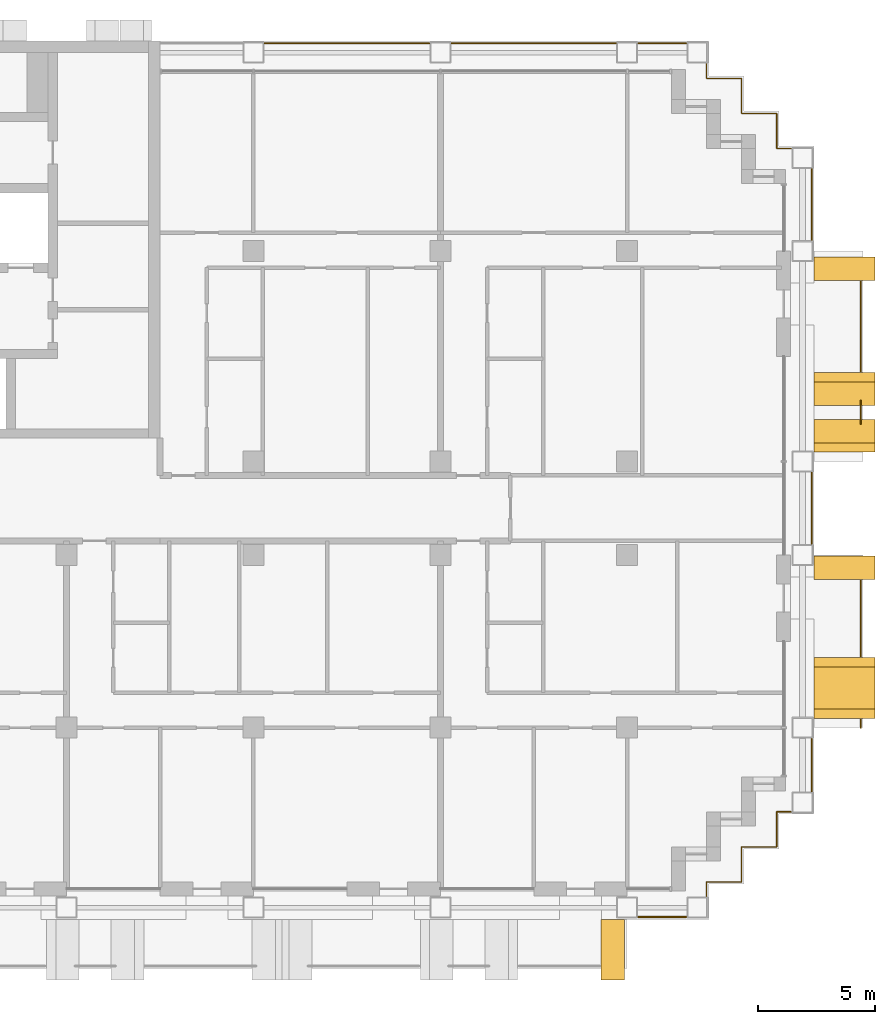
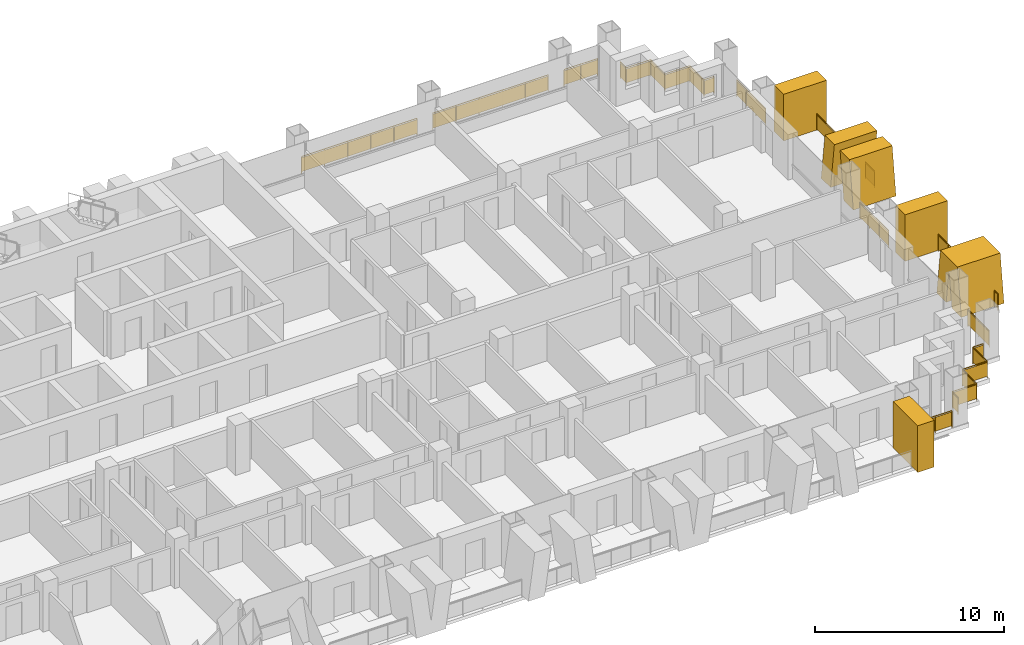
# One storey, part 18 of 18: 13 railings, 6 shading devices.
"""IFC4 building model written with IfcOpenShell, lengths in metres."""

from ifc_helpers import new_model, si_unit, direction, frame, origin, origin_2d, place, context, subcontext, project, spatial, polyline, rectangle, circle, outline, extrude, material, layer, layer_set, type_object, element, save


model = new_model("IFC4")

# Units and contexts
model_context = context("Model", 3, precision=1e-05, world=origin(), true_north=direction((0.0, 1.0)))
body_context = subcontext(model_context, "Body", "Model", "MODEL_VIEW")
ifc_project = project(units=[si_unit("LENGTHUNIT", "METRE"), si_unit("AREAUNIT", "SQUARE_METRE"), si_unit("VOLUMEUNIT", "CUBIC_METRE"), si_unit("PLANEANGLEUNIT", "RADIAN"), si_unit("MASSUNIT", "GRAM", prefix="KILO")], contexts=[model_context])

# Site, building, storey
site_placement = place(None, origin())
site = spatial("IfcSite", under=ifc_project, at=site_placement, CompositionType="ELEMENT")
building_placement = place(site_placement, origin())
building = spatial("IfcBuilding", under=site, at=building_placement, Name="Vidyagriha Tower", CompositionType="ELEMENT")
storey_placement = place(building_placement, frame((0.0, 0.0, 80.699951171875)))
storey = spatial("IfcBuildingStorey", under=building, at=storey_placement, Name="L20", CompositionType="ELEMENT", Elevation=80.699951171875)

# Railings
ifc_material_1 = material(Name="Steel ASTM A500 Grade C black painted", Category="steel")
railing_type_1 = type_object("IfcRailingType", Name="Balcony guard 1100", PredefinedType="BALUSTRADE", material=ifc_material_1)
railing_1_placement = place(storey_placement, frame((44.0, -9.39990234375, 0.0)))
element("IfcRailing", 1, at=railing_1_placement, inside=storey, type_object=railing_type_1, Name="Balcony guard L20 R30.1-1", PredefinedType="BALUSTRADE", context=body_context, shape_type="SweptSolid", body=[
    extrude(circle(Radius=0.02490234375, at=origin_2d()), frame((0.0, 0.0, 1.0751953125), z_axis=(0.0, 1.0, 0.0), x_axis=(-1.0, 0.0, 0.0)), (0.0, 0.0, 1.0), 0.349853515625),
    extrude(circle(Radius=0.02001953125, at=origin_2d()), origin(), (0.0, 0.0, 1.0), 1.050048828125),
    extrude(circle(Radius=0.02001953125, at=origin_2d()), frame((0.0, 0.349853515625, 0.0)), (0.0, 0.0, 1.0), 1.050048828125),
    extrude(rectangle(XDim=0.010009765625, YDim=0.900146484375, at=origin_2d()), frame((0.0, 0.0, 0.550048828125), z_axis=(0.0, 1.0, 0.0), x_axis=(-1.0, 0.0, 0.0)), (0.0, 0.0, 1.0), 0.349853515625),
])
railing_2_placement = place(storey_placement, frame((44.0, -6.35009765625, 0.0)))
element("IfcRailing", 2, at=railing_2_placement, inside=storey, type_object=railing_type_1, Name="Balcony guard L20 R30.1-2", PredefinedType="BALUSTRADE", context=body_context, shape_type="SweptSolid", body=[
    extrude(circle(Radius=0.02490234375, at=origin_2d()), frame((0.0, 0.0, 1.0751953125), z_axis=(0.0, 1.0, 0.0), x_axis=(-1.0, 0.0, 0.0)), (0.0, 0.0, 1.0), 3.25),
    extrude(circle(Radius=0.02001953125, at=origin_2d()), origin(), (0.0, 0.0, 1.0), 1.050048828125),
    extrude(circle(Radius=0.02001953125, at=origin_2d()), frame((0.0, 1.083251953125, 0.0)), (0.0, 0.0, 1.0), 1.050048828125),
    extrude(circle(Radius=0.02001953125, at=origin_2d()), frame((0.0, 2.166748046875, 0.0)), (0.0, 0.0, 1.0), 1.050048828125),
    extrude(circle(Radius=0.02001953125, at=origin_2d()), frame((0.0, 3.25, 0.0)), (0.0, 0.0, 1.0), 1.050048828125),
    extrude(rectangle(XDim=0.010009765625, YDim=0.900146484375, at=origin_2d()), frame((0.0, 0.0, 0.550048828125), z_axis=(0.0, 1.0, 0.0), x_axis=(-1.0, 0.0, 0.0)), (0.0, 0.0, 1.0), 3.25),
])
railing_3_placement = place(storey_placement, frame((44.0, 3.603271484375, 0.0)))
element("IfcRailing", 3, at=railing_3_placement, inside=storey, type_object=railing_type_1, Name="Balcony guard L20 R30.2-1", PredefinedType="BALUSTRADE", context=body_context, shape_type="SweptSolid", body=[
    extrude(circle(Radius=0.02490234375, at=origin_2d()), frame((0.0, 0.0, 1.0751953125), z_axis=(0.0, 1.0, 0.0), x_axis=(-1.0, 0.0, 0.0)), (0.0, 0.0, 1.0), 0.993408203125),
    extrude(circle(Radius=0.02001953125, at=origin_2d()), origin(), (0.0, 0.0, 1.0), 1.050048828125),
    extrude(circle(Radius=0.02001953125, at=origin_2d()), frame((0.0, 0.993408203125, 0.0)), (0.0, 0.0, 1.0), 1.050048828125),
    extrude(rectangle(XDim=0.010009765625, YDim=0.900146484375, at=origin_2d()), frame((0.0, 0.0, 0.550048828125), z_axis=(0.0, 1.0, 0.0), x_axis=(-1.0, 0.0, 0.0)), (0.0, 0.0, 1.0), 0.993408203125),
])
railing_4_placement = place(storey_placement, frame((44.0, 5.85009765625, 0.0)))
element("IfcRailing", 4, at=railing_4_placement, inside=storey, type_object=railing_type_1, Name="Balcony guard L20 R30.2-2", PredefinedType="BALUSTRADE", context=body_context, shape_type="SweptSolid", body=[
    extrude(circle(Radius=0.02490234375, at=origin_2d()), frame((0.0, 0.0, 1.0751953125), z_axis=(0.0, 1.0, 0.0), x_axis=(-1.0, 0.0, 0.0)), (0.0, 0.0, 1.0), 3.849853515625),
    extrude(circle(Radius=0.02001953125, at=origin_2d()), origin(), (0.0, 0.0, 1.0), 1.050048828125),
    extrude(circle(Radius=0.02001953125, at=origin_2d()), frame((0.0, 0.96240234375, 0.0)), (0.0, 0.0, 1.0), 1.050048828125),
    extrude(circle(Radius=0.02001953125, at=origin_2d()), frame((0.0, 1.9248046875, 0.0)), (0.0, 0.0, 1.0), 1.050048828125),
    extrude(circle(Radius=0.02001953125, at=origin_2d()), frame((0.0, 2.887451171875, 0.0)), (0.0, 0.0, 1.0), 1.050048828125),
    extrude(circle(Radius=0.02001953125, at=origin_2d()), frame((0.0, 3.849853515625, 0.0)), (0.0, 0.0, 1.0), 1.050048828125),
    extrude(rectangle(XDim=0.010009765625, YDim=0.900146484375, at=origin_2d()), frame((0.0, 0.0, 0.550048828125), z_axis=(0.0, 1.0, 0.0), x_axis=(-1.0, 0.0, 0.0)), (0.0, 0.0, 1.0), 3.849853515625),
])

# Shading devices
ifc_material_2 = material(Name="Precast concrete C40/50 with buff brick facing", Category="concrete")
ifc_layer_1 = layer(ifc_material_2, 1.0)
ifc_layer_set_1 = layer_set([ifc_layer_1], Name="Precast concrete C40/50 with buff brick facing")
shading_device_type_1 = type_object("IfcShadingDeviceType", Name="Brick-faced blade fin arm leaning 8 degrees", PredefinedType="USERDEFINED", material=ifc_layer_set_1)
shading_device_1_placement = place(storey_placement, frame((43.300048828125, 2.39990234375, 0.0), z_axis=(0.0, 0.0, 1.0), x_axis=(0.0, 1.0, 0.0)))
element("IfcShadingDevice", 5, at=shading_device_1_placement, inside=storey, type_object=shading_device_type_1, Name="Leaning blade fin L20 R30.1350a", ObjectType="BLADE FIN", PredefinedType="USERDEFINED", context=body_context, shape_type="SweptSolid", body=[
    extrude(outline(polyline([(0.0, 0.0), (1.0, 0.0), (1.39990234375, 3.0), (0.39990234375, 3.0), (0.0, 0.0)])), frame((0.0, 1.300048828125, 0.0), z_axis=(0.0, -1.0, 0.0), x_axis=(1.0, 0.0, 0.0)), (0.0, 0.0, 1.0), 2.60009765625),
])
shading_device_2_placement = place(storey_placement, frame((43.300048828125, 4.39990234375, 0.0), z_axis=(0.0, 0.0, 1.0), x_axis=(0.0, 1.0, 0.0)))
element("IfcShadingDevice", 6, at=shading_device_2_placement, inside=storey, type_object=shading_device_type_1, Name="Leaning blade fin L20 R30.1350b", ObjectType="BLADE FIN", PredefinedType="USERDEFINED", context=body_context, shape_type="SweptSolid", body=[
    extrude(outline(polyline([(0.39990234375, 0.0), (1.39990234375, 0.0), (1.0, 3.0), (0.0, 3.0), (0.39990234375, 0.0)])), frame((0.0, 1.300048828125, 0.0), z_axis=(0.0, -1.0, 0.0), x_axis=(1.0, 0.0, 0.0)), (0.0, 0.0, 1.0), 2.60009765625),
])
ifc_material_3 = material(Name="Precast concrete C40/50 with buff brick facing", Category="concrete")
ifc_layer_2 = layer(ifc_material_3, 1.0)
ifc_layer_set_2 = layer_set([ifc_layer_2], Name="Precast concrete C40/50 with buff brick facing")
shading_device_type_2 = type_object("IfcShadingDeviceType", Name="Brick-faced blade fin forking 8 degrees", PredefinedType="USERDEFINED", material=ifc_layer_set_2)
shading_device_3_placement = place(storey_placement, frame((43.300048828125, -9.0, 0.0), z_axis=(0.0, 0.0, 1.0), x_axis=(0.0, 1.0, 0.0)))
element("IfcShadingDevice", 7, at=shading_device_3_placement, inside=storey, type_object=shading_device_type_2, Name="Forked blade fin L20 R30.210a", ObjectType="BLADE FIN", PredefinedType="USERDEFINED", context=body_context, shape_type="SweptSolid", body=[
    extrude(outline(polyline([(1.0, 0.0), (1.300048828125, 2.25), (1.60009765625, 0.0), (2.60009765625, 0.0), (2.199951171875, 3.0), (0.39990234375, 3.0), (0.0, 0.0), (1.0, 0.0)])), frame((0.0, 1.300048828125, 0.0), z_axis=(0.0, -1.0, 0.0), x_axis=(1.0, 0.0, 0.0)), (0.0, 0.0, 1.0), 2.60009765625),
])
ifc_material_4 = material(Name="Precast concrete C40/50 with buff brick facing", Category="concrete")
ifc_layer_3 = layer(ifc_material_4, 1.0)
ifc_layer_set_3 = layer_set([ifc_layer_3], Name="Precast concrete C40/50 with buff brick facing")
shading_device_type_3 = type_object("IfcShadingDeviceType", Name="Brick-faced blade fin stem 1000", PredefinedType="USERDEFINED", material=ifc_layer_set_3)
shading_device_4_placement = place(storey_placement, frame((32.875, -18.89990234375, 0.0)))
element("IfcShadingDevice", 8, at=shading_device_4_placement, inside=storey, type_object=shading_device_type_3, Name="Stem blade fin L20 R23.5790a", ObjectType="BLADE FIN", PredefinedType="USERDEFINED", context=body_context, shape_type="SweptSolid", body=[
    extrude(outline(polyline([(0.0, 0.0), (1.0, 0.0), (1.0, 3.0), (0.0, 3.0), (0.0, 0.0)])), frame((0.0, 1.300048828125, 0.0), z_axis=(0.0, -1.0, 0.0), x_axis=(1.0, 0.0, 0.0)), (0.0, 0.0, 1.0), 2.60009765625),
])
for number, where, z_axis, x_axis, name in (
    (9, (43.300048828125, -3.050048828125, 0.0), (0.0, 0.0, 1.0), (0.0, 1.0, 0.0), "Stem blade fin L20 R30.950a"),
    (10, (43.300048828125, 9.75, 0.0), (0.0, 0.0, 1.0), (0.0, 1.0, 0.0), "Stem blade fin L20 R30.2250a"),
):
    element("IfcShadingDevice", number, at=place(storey_placement, frame(where, z_axis=z_axis, x_axis=x_axis)), inside=storey, type_object=shading_device_type_3, Name=name, ObjectType="BLADE FIN", PredefinedType="USERDEFINED", context=body_context, shape_type="SweptSolid", body=[
        extrude(outline(polyline([(0.0, 0.0), (1.0, 0.0), (1.0, 3.0), (0.0, 3.0), (0.0, 0.0)])), frame((0.0, 1.300048828125, 0.0), z_axis=(0.0, -1.0, 0.0), x_axis=(1.0, 0.0, 0.0)), (0.0, 0.0, 1.0), 2.60009765625),
    ])

# Railings
ifc_material_5 = material(Name="Steel ASTM A500 Grade C black painted", Category="steel")
railing_type_2 = type_object("IfcRailingType", Name="Gallery guard 1100", PredefinedType="GUARDRAIL", material=ifc_material_5)
for number, where, name in (
    (11, (18.47998046875, 19.89990234375, 0.0), "Gallery guard L20 10"),
    (12, (26.47998046875, 19.89990234375, 0.0), "Gallery guard L20 11"),
):
    element("IfcRailing", number, at=place(storey_placement, frame(where)), inside=storey, type_object=railing_type_2, Name=name, PredefinedType="GUARDRAIL", context=body_context, shape_type="SweptSolid", body=[
        extrude(circle(Radius=0.02490234375, at=origin_2d()), frame((0.0, 0.0, 1.0751953125), z_axis=(1.0, 0.0, 0.0), x_axis=(0.0, 1.0, 0.0)), (0.0, 0.0, 1.0), 7.0400390625),
        extrude(circle(Radius=0.02001953125, at=origin_2d()), origin(), (0.0, 0.0, 1.0), 1.050048828125),
        extrude(circle(Radius=0.02001953125, at=origin_2d()), frame((1.407958984375, 0.0, 0.0)), (0.0, 0.0, 1.0), 1.050048828125),
        extrude(circle(Radius=0.02001953125, at=origin_2d()), frame((2.81591796875, 0.0, 0.0)), (0.0, 0.0, 1.0), 1.050048828125),
        extrude(circle(Radius=0.02001953125, at=origin_2d()), frame((4.22412109375, 0.0, 0.0)), (0.0, 0.0, 1.0), 1.050048828125),
        extrude(circle(Radius=0.02001953125, at=origin_2d()), frame((5.632080078125, 0.0, 0.0)), (0.0, 0.0, 1.0), 1.050048828125),
        extrude(circle(Radius=0.02001953125, at=origin_2d()), frame((7.0400390625, 0.0, 0.0)), (0.0, 0.0, 1.0), 1.050048828125),
        extrude(rectangle(XDim=0.010009765625, YDim=0.900146484375, at=origin_2d()), frame((0.0, 0.0, 0.550048828125), z_axis=(1.0, 0.0, 0.0), x_axis=(0.0, 1.0, 0.0)), (0.0, 0.0, 1.0), 7.0400390625),
    ])
railing_5_placement = place(storey_placement, frame((36.52001953125, -17.5, 0.0)))
element("IfcRailing", 13, at=railing_5_placement, inside=storey, type_object=railing_type_2, Name="Gallery guard L20 12", PredefinedType="GUARDRAIL", context=body_context, shape_type="SweptSolid", body=[
    extrude(circle(Radius=0.02490234375, at=origin_2d()), frame((0.0, 0.0, 1.0751953125), z_axis=(-1.0, 0.0, 0.0), x_axis=(0.0, -1.0, 0.0)), (0.0, 0.0, 1.0), 2.0400390625),
    extrude(circle(Radius=0.02001953125, at=origin_2d()), origin(), (0.0, 0.0, 1.0), 1.050048828125),
    extrude(circle(Radius=0.02001953125, at=origin_2d()), frame((-1.02001953125, 0.0, 0.0)), (0.0, 0.0, 1.0), 1.050048828125),
    extrude(circle(Radius=0.02001953125, at=origin_2d()), frame((-2.0400390625, 0.0, 0.0)), (0.0, 0.0, 1.0), 1.050048828125),
    extrude(rectangle(XDim=0.010009765625, YDim=0.900146484375, at=origin_2d()), frame((0.0, 0.0, 0.550048828125), z_axis=(-1.0, 0.0, 0.0), x_axis=(0.0, -1.0, 0.0)), (0.0, 0.0, 1.0), 2.0400390625),
])
railing_6_placement = place(storey_placement, frame((34.47998046875, 19.89990234375, 0.0)))
element("IfcRailing", 14, at=railing_6_placement, inside=storey, type_object=railing_type_2, Name="Gallery guard L20 13", PredefinedType="GUARDRAIL", context=body_context, shape_type="SweptSolid", body=[
    extrude(circle(Radius=0.02490234375, at=origin_2d()), frame((0.0, 0.0, 1.0751953125), z_axis=(1.0, 0.0, 0.0), x_axis=(0.0, 1.0, 0.0)), (0.0, 0.0, 1.0), 2.0400390625),
    extrude(circle(Radius=0.02001953125, at=origin_2d()), origin(), (0.0, 0.0, 1.0), 1.050048828125),
    extrude(circle(Radius=0.02001953125, at=origin_2d()), frame((1.02001953125, 0.0, 0.0)), (0.0, 0.0, 1.0), 1.050048828125),
    extrude(circle(Radius=0.02001953125, at=origin_2d()), frame((2.0400390625, 0.0, 0.0)), (0.0, 0.0, 1.0), 1.050048828125),
    extrude(rectangle(XDim=0.010009765625, YDim=0.900146484375, at=origin_2d()), frame((0.0, 0.0, 0.550048828125), z_axis=(1.0, 0.0, 0.0), x_axis=(0.0, 1.0, 0.0)), (0.0, 0.0, 1.0), 2.0400390625),
])
railing_7_placement = place(storey_placement, frame((41.02001953125, -13.0, 0.0)))
element("IfcRailing", 15, at=railing_7_placement, inside=storey, type_object=railing_type_2, Name="Gallery guard L20 14", PredefinedType="GUARDRAIL", context=body_context, shape_type="SweptSolid", body=[
    extrude(circle(Radius=0.02490234375, at=origin_2d()), frame((0.0, 0.0, 1.0751953125), z_axis=(-1.0, 0.0, 0.0), x_axis=(0.0, -1.0, 0.0)), (0.0, 0.0, 1.0), 0.6201171875),
    extrude(circle(Radius=0.02490234375, at=origin_2d()), frame((-0.6201171875, 0.0, 1.0751953125), z_axis=(0.0, -1.0, 0.0), x_axis=(1.0, 0.0, 0.0)), (0.0, 0.0, 1.0), 1.5),
    extrude(circle(Radius=0.02490234375, at=origin_2d()), frame((-0.6201171875, -1.5, 1.0751953125), z_axis=(-1.0, 0.0, 0.0), x_axis=(0.0, -1.0, 0.0)), (0.0, 0.0, 1.0), 1.5),
    extrude(circle(Radius=0.02490234375, at=origin_2d()), frame((-2.1201171875, -1.5, 1.0751953125), z_axis=(0.0, -1.0, 0.0), x_axis=(1.0, 0.0, 0.0)), (0.0, 0.0, 1.0), 1.5),
    extrude(circle(Radius=0.02490234375, at=origin_2d()), frame((-2.1201171875, -3.0, 1.0751953125), z_axis=(-1.0, 0.0, 0.0), x_axis=(0.0, -1.0, 0.0)), (0.0, 0.0, 1.0), 1.5),
    extrude(circle(Radius=0.02490234375, at=origin_2d()), frame((-3.6201171875, -3.0, 1.0751953125), z_axis=(0.0, -1.0, 0.0), x_axis=(1.0, 0.0, 0.0)), (0.0, 0.0, 1.0), 0.6201171875),
    extrude(circle(Radius=0.02001953125, at=origin_2d()), origin(), (0.0, 0.0, 1.0), 1.050048828125),
    extrude(circle(Radius=0.02001953125, at=origin_2d()), frame((-0.6201171875, 0.0, 0.0)), (0.0, 0.0, 1.0), 1.050048828125),
    extrude(circle(Radius=0.02001953125, at=origin_2d()), frame((-0.6201171875, -1.5, 0.0)), (0.0, 0.0, 1.0), 1.050048828125),
    extrude(circle(Radius=0.02001953125, at=origin_2d()), frame((-2.1201171875, -1.5, 0.0)), (0.0, 0.0, 1.0), 1.050048828125),
    extrude(circle(Radius=0.02001953125, at=origin_2d()), frame((-2.1201171875, -3.0, 0.0)), (0.0, 0.0, 1.0), 1.050048828125),
    extrude(circle(Radius=0.02001953125, at=origin_2d()), frame((-3.6201171875, -3.0, 0.0)), (0.0, 0.0, 1.0), 1.050048828125),
    extrude(circle(Radius=0.02001953125, at=origin_2d()), frame((-3.6201171875, -3.6201171875, 0.0)), (0.0, 0.0, 1.0), 1.050048828125),
    extrude(rectangle(XDim=0.010009765625, YDim=0.900146484375, at=origin_2d()), frame((0.0, 0.0, 0.550048828125), z_axis=(-1.0, 0.0, 0.0), x_axis=(0.0, -1.0, 0.0)), (0.0, 0.0, 1.0), 0.6201171875),
    extrude(rectangle(XDim=0.010009765625, YDim=0.900146484375, at=origin_2d()), frame((-0.6201171875, 0.0, 0.550048828125), z_axis=(0.0, -1.0, 0.0), x_axis=(1.0, 0.0, 0.0)), (0.0, 0.0, 1.0), 1.5),
    extrude(rectangle(XDim=0.010009765625, YDim=0.900146484375, at=origin_2d()), frame((-0.6201171875, -1.5, 0.550048828125), z_axis=(-1.0, 0.0, 0.0), x_axis=(0.0, -1.0, 0.0)), (0.0, 0.0, 1.0), 1.5),
    extrude(rectangle(XDim=0.010009765625, YDim=0.900146484375, at=origin_2d()), frame((-2.1201171875, -1.5, 0.550048828125), z_axis=(0.0, -1.0, 0.0), x_axis=(1.0, 0.0, 0.0)), (0.0, 0.0, 1.0), 1.5),
    extrude(rectangle(XDim=0.010009765625, YDim=0.900146484375, at=origin_2d()), frame((-2.1201171875, -3.0, 0.550048828125), z_axis=(-1.0, 0.0, 0.0), x_axis=(0.0, -1.0, 0.0)), (0.0, 0.0, 1.0), 1.5),
    extrude(rectangle(XDim=0.010009765625, YDim=0.900146484375, at=origin_2d()), frame((-3.6201171875, -3.0, 0.550048828125), z_axis=(0.0, -1.0, 0.0), x_axis=(1.0, 0.0, 0.0)), (0.0, 0.0, 1.0), 0.6201171875),
])
railing_8_placement = place(storey_placement, frame((37.39990234375, 19.02001953125, 0.0)))
element("IfcRailing", 16, at=railing_8_placement, inside=storey, type_object=railing_type_2, Name="Gallery guard L20 15", PredefinedType="GUARDRAIL", context=body_context, shape_type="SweptSolid", body=[
    extrude(circle(Radius=0.02490234375, at=origin_2d()), frame((0.0, 0.0, 1.0751953125), z_axis=(0.0, -1.0, 0.0), x_axis=(1.0, 0.0, 0.0)), (0.0, 0.0, 1.0), 0.6201171875),
    extrude(circle(Radius=0.02490234375, at=origin_2d()), frame((0.0, -0.6201171875, 1.0751953125), z_axis=(1.0, 0.0, 0.0), x_axis=(0.0, 1.0, 0.0)), (0.0, 0.0, 1.0), 1.5),
    extrude(circle(Radius=0.02490234375, at=origin_2d()), frame((1.5, -0.6201171875, 1.0751953125), z_axis=(0.0, -1.0, 0.0), x_axis=(1.0, 0.0, 0.0)), (0.0, 0.0, 1.0), 1.5),
    extrude(circle(Radius=0.02490234375, at=origin_2d()), frame((1.5, -2.1201171875, 1.0751953125), z_axis=(1.0, 0.0, 0.0), x_axis=(0.0, 1.0, 0.0)), (0.0, 0.0, 1.0), 1.5),
    extrude(circle(Radius=0.02490234375, at=origin_2d()), frame((3.0, -2.1201171875, 1.0751953125), z_axis=(0.0, -1.0, 0.0), x_axis=(1.0, 0.0, 0.0)), (0.0, 0.0, 1.0), 1.5),
    extrude(circle(Radius=0.02490234375, at=origin_2d()), frame((3.0, -3.6201171875, 1.0751953125), z_axis=(1.0, 0.0, 0.0), x_axis=(0.0, 1.0, 0.0)), (0.0, 0.0, 1.0), 0.6201171875),
    extrude(circle(Radius=0.02001953125, at=origin_2d()), origin(), (0.0, 0.0, 1.0), 1.050048828125),
    extrude(circle(Radius=0.02001953125, at=origin_2d()), frame((0.0, -0.6201171875, 0.0)), (0.0, 0.0, 1.0), 1.050048828125),
    extrude(circle(Radius=0.02001953125, at=origin_2d()), frame((1.5, -0.6201171875, 0.0)), (0.0, 0.0, 1.0), 1.050048828125),
    extrude(circle(Radius=0.02001953125, at=origin_2d()), frame((1.5, -2.1201171875, 0.0)), (0.0, 0.0, 1.0), 1.050048828125),
    extrude(circle(Radius=0.02001953125, at=origin_2d()), frame((3.0, -2.1201171875, 0.0)), (0.0, 0.0, 1.0), 1.050048828125),
    extrude(circle(Radius=0.02001953125, at=origin_2d()), frame((3.0, -3.6201171875, 0.0)), (0.0, 0.0, 1.0), 1.050048828125),
    extrude(circle(Radius=0.02001953125, at=origin_2d()), frame((3.6201171875, -3.6201171875, 0.0)), (0.0, 0.0, 1.0), 1.050048828125),
    extrude(rectangle(XDim=0.010009765625, YDim=0.900146484375, at=origin_2d()), frame((0.0, 0.0, 0.550048828125), z_axis=(0.0, -1.0, 0.0), x_axis=(1.0, 0.0, 0.0)), (0.0, 0.0, 1.0), 0.6201171875),
    extrude(rectangle(XDim=0.010009765625, YDim=0.900146484375, at=origin_2d()), frame((0.0, -0.6201171875, 0.550048828125), z_axis=(1.0, 0.0, 0.0), x_axis=(0.0, 1.0, 0.0)), (0.0, 0.0, 1.0), 1.5),
    extrude(rectangle(XDim=0.010009765625, YDim=0.900146484375, at=origin_2d()), frame((1.5, -0.6201171875, 0.550048828125), z_axis=(0.0, -1.0, 0.0), x_axis=(1.0, 0.0, 0.0)), (0.0, 0.0, 1.0), 1.5),
    extrude(rectangle(XDim=0.010009765625, YDim=0.900146484375, at=origin_2d()), frame((1.5, -2.1201171875, 0.550048828125), z_axis=(1.0, 0.0, 0.0), x_axis=(0.0, 1.0, 0.0)), (0.0, 0.0, 1.0), 1.5),
    extrude(rectangle(XDim=0.010009765625, YDim=0.900146484375, at=origin_2d()), frame((3.0, -2.1201171875, 0.550048828125), z_axis=(0.0, -1.0, 0.0), x_axis=(1.0, 0.0, 0.0)), (0.0, 0.0, 1.0), 1.5),
    extrude(rectangle(XDim=0.010009765625, YDim=0.900146484375, at=origin_2d()), frame((3.0, -3.6201171875, 0.550048828125), z_axis=(1.0, 0.0, 0.0), x_axis=(0.0, 1.0, 0.0)), (0.0, 0.0, 1.0), 0.6201171875),
])
railing_9_placement = place(storey_placement, frame((41.89990234375, -9.8798828125, 0.0)))
element("IfcRailing", 17, at=railing_9_placement, inside=storey, type_object=railing_type_2, Name="Gallery guard L20 16", PredefinedType="GUARDRAIL", context=body_context, shape_type="SweptSolid", body=[
    extrude(circle(Radius=0.02490234375, at=origin_2d()), frame((0.0, 0.0, 1.0751953125), z_axis=(0.0, -1.0, 0.0), x_axis=(1.0, 0.0, 0.0)), (0.0, 0.0, 1.0), 2.240234375),
    extrude(circle(Radius=0.02001953125, at=origin_2d()), origin(), (0.0, 0.0, 1.0), 1.050048828125),
    extrude(circle(Radius=0.02001953125, at=origin_2d()), frame((0.0, -1.1201171875, 0.0)), (0.0, 0.0, 1.0), 1.050048828125),
    extrude(circle(Radius=0.02001953125, at=origin_2d()), frame((0.0, -2.240234375, 0.0)), (0.0, 0.0, 1.0), 1.050048828125),
    extrude(rectangle(XDim=0.010009765625, YDim=0.900146484375, at=origin_2d()), frame((0.0, 0.0, 0.550048828125), z_axis=(0.0, -1.0, 0.0), x_axis=(1.0, 0.0, 0.0)), (0.0, 0.0, 1.0), 2.240234375),
])
for number, where, name in (
    (18, (41.89990234375, 1.52001953125, 0.0), "Gallery guard L20 17"),
    (19, (41.89990234375, 14.52001953125, 0.0), "Gallery guard L20 18"),
):
    element("IfcRailing", number, at=place(storey_placement, frame(where)), inside=storey, type_object=railing_type_2, Name=name, PredefinedType="GUARDRAIL", context=body_context, shape_type="SweptSolid", body=[
        extrude(circle(Radius=0.02490234375, at=origin_2d()), frame((0.0, 0.0, 1.0751953125), z_axis=(0.0, -1.0, 0.0), x_axis=(1.0, 0.0, 0.0)), (0.0, 0.0, 1.0), 3.0400390625),
        extrude(circle(Radius=0.02001953125, at=origin_2d()), origin(), (0.0, 0.0, 1.0), 1.050048828125),
        extrude(circle(Radius=0.02001953125, at=origin_2d()), frame((0.0, -1.013427734375, 0.0)), (0.0, 0.0, 1.0), 1.050048828125),
        extrude(circle(Radius=0.02001953125, at=origin_2d()), frame((0.0, -2.026611328125, 0.0)), (0.0, 0.0, 1.0), 1.050048828125),
        extrude(circle(Radius=0.02001953125, at=origin_2d()), frame((0.0, -3.0400390625, 0.0)), (0.0, 0.0, 1.0), 1.050048828125),
        extrude(rectangle(XDim=0.010009765625, YDim=0.900146484375, at=origin_2d()), frame((0.0, 0.0, 0.550048828125), z_axis=(0.0, -1.0, 0.0), x_axis=(1.0, 0.0, 0.0)), (0.0, 0.0, 1.0), 3.0400390625),
    ])

save(model, "model.ifc")
